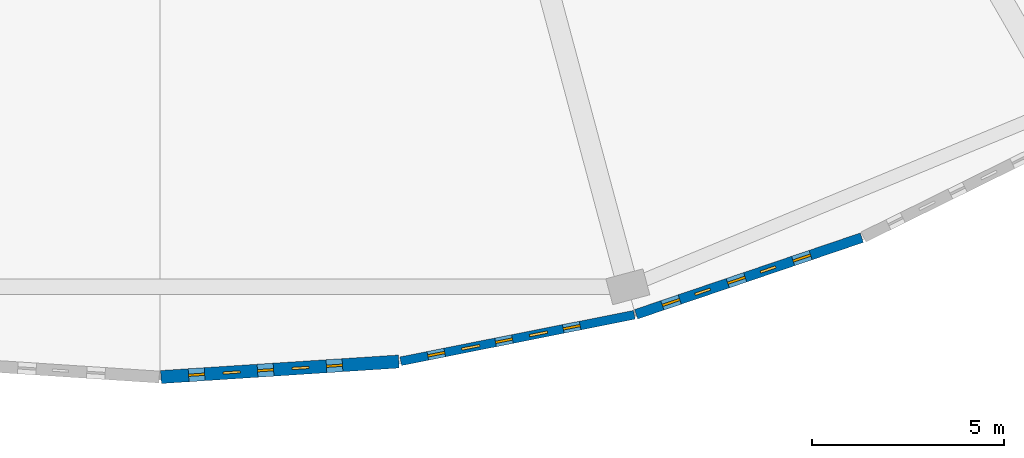
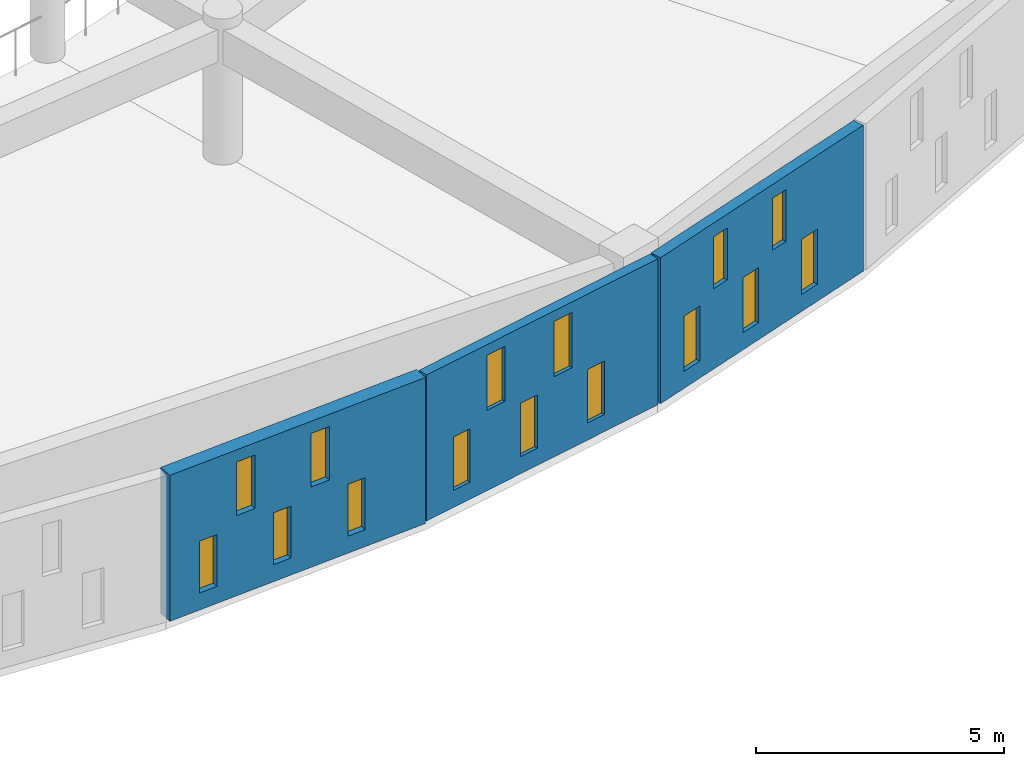
# One storey, part 106 of 155: 15 windows, 3 walls, 15 openings.
"""IFC4 building model written with IfcOpenShell, lengths in metres."""

from ifc_helpers import new_model, si_unit, direction, frame, frame_2d, origin, place, context, subcontext, project, spatial, rectangle, extrude, material, layer, layer_set, type_object, element, fill, save


model = new_model("IFC4")

# Units and contexts
model_context = context("Model", 3, precision=1e-05, world=origin(), true_north=direction((0.0, 1.0)))
body_context = subcontext(model_context, "Body", "Model", "MODEL_VIEW")
ifc_project = project(units=[si_unit("LENGTHUNIT", "METRE"), si_unit("AREAUNIT", "SQUARE_METRE"), si_unit("VOLUMEUNIT", "CUBIC_METRE"), si_unit("PLANEANGLEUNIT", "RADIAN"), si_unit("MASSUNIT", "GRAM", prefix="KILO")], contexts=[model_context])

# Site, building, storey
site_placement = place(None, origin())
site = spatial("IfcSite", under=ifc_project, at=site_placement, CompositionType="ELEMENT")
building_placement = place(site_placement, origin())
building = spatial("IfcBuilding", under=site, at=building_placement, Name="Larkveld Mobility Hub", CompositionType="ELEMENT")
storey_placement = place(building_placement, frame((0.0, 0.0, 8.39990234375)))
storey = spatial("IfcBuildingStorey", under=building, at=storey_placement, Name="L02", CompositionType="ELEMENT", Elevation=8.39990234375)

# Wall, openings, windows
ifc_material_1 = material(Name="Fired clay brick 25 MPa", Category="masonry")
ifc_layer_1 = layer(ifc_material_1, 0.22998046875, Name="Fired clay brick 25 MPa", Category="masonry")
ifc_layer_set_1 = layer_set([ifc_layer_1], Name="Fired clay brick 25 MPa")
wall_type_1 = type_object("IfcWallType", Name="WL-BRK-230", PredefinedType="USERDEFINED", material=ifc_layer_set_1)
wall_1_placement = place(storey_placement, frame((54.27001953125, 0.56396484375, 0.0), z_axis=(0.0, 0.0, 1.0), x_axis=(0.980799338869, 0.195019632022, 0.0)))
wall_1 = element("IfcWall", 1, at=wall_1_placement, inside=storey, type_object=wall_type_1, Name="Drum Woven Open-Bond Brick Chord L02-0128", ObjectType="PERFORATED BRICK SCREEN", PredefinedType="USERDEFINED", context=body_context, shape_type="SweptSolid", body=[
    extrude(rectangle(XDim=6.209228515625, YDim=0.22998046875, at=frame_2d((3.1044921875, 0.0))), origin(), (0.0, 0.0, 1.0), 3.60009765625),
])
opening_1_placement = place(wall_1_placement, frame((0.719970703125, 0.0, 0.419921875)))
opening_1 = element("IfcOpeningElement", 2, at=opening_1_placement, cuts=wall_1, Name="Opening W02", PredefinedType="OPENING", context=body_context, shape_type="SweptSolid", body=[
    extrude(rectangle(XDim=0.449951171875, YDim=1.320068359375, at=frame_2d((0.22509765625, 0.66015625))), frame((0.0, 0.125, 0.0), z_axis=(0.0, -1.0, 0.0), x_axis=(1.0, 0.0, 0.0)), (0.0, 0.0, 1.0), 0.25),
])
opening_2_placement = place(wall_1_placement, frame((2.52001953125, 0.0, 0.419921875)))
opening_2 = element("IfcOpeningElement", 3, at=opening_2_placement, cuts=wall_1, Name="Opening W02", PredefinedType="OPENING", context=body_context, shape_type="SweptSolid", body=[
    extrude(rectangle(XDim=0.449951171875, YDim=1.320068359375, at=frame_2d((0.22509765625, 0.66015625))), frame((0.0, 0.125, 0.0), z_axis=(0.0, -1.0, 0.0), x_axis=(1.0, 0.0, 0.0)), (0.0, 0.0, 1.0), 0.25),
])
opening_3_placement = place(wall_1_placement, frame((4.320068359375, 0.0, 0.419921875)))
opening_3 = element("IfcOpeningElement", 4, at=opening_3_placement, cuts=wall_1, Name="Opening W02", PredefinedType="OPENING", context=body_context, shape_type="SweptSolid", body=[
    extrude(rectangle(XDim=0.449951171875, YDim=1.320068359375, at=frame_2d((0.22509765625, 0.66015625))), frame((0.0, 0.125, 0.0), z_axis=(0.0, -1.0, 0.0), x_axis=(1.0, 0.0, 0.0)), (0.0, 0.0, 1.0), 0.25),
])
opening_4_placement = place(wall_1_placement, frame((1.6201171875, 0.0, 1.97998046875)))
opening_4 = element("IfcOpeningElement", 5, at=opening_4_placement, cuts=wall_1, Name="Opening W03", PredefinedType="OPENING", context=body_context, shape_type="SweptSolid", body=[
    extrude(rectangle(XDim=0.47998046875, YDim=1.360107421875, at=frame_2d((0.239990234375, 0.68017578125))), frame((0.0, 0.125, 0.0), z_axis=(0.0, -1.0, 0.0), x_axis=(1.0, 0.0, 0.0)), (0.0, 0.0, 1.0), 0.25),
])
opening_5_placement = place(wall_1_placement, frame((3.419921875, 0.0, 1.97998046875)))
opening_5 = element("IfcOpeningElement", 6, at=opening_5_placement, cuts=wall_1, Name="Opening W03", PredefinedType="OPENING", context=body_context, shape_type="SweptSolid", body=[
    extrude(rectangle(XDim=0.47998046875, YDim=1.360107421875, at=frame_2d((0.239990234375, 0.68017578125))), frame((0.0, 0.125, 0.0), z_axis=(0.0, -1.0, 0.0), x_axis=(1.0, 0.0, 0.0)), (0.0, 0.0, 1.0), 0.25),
])
ifc_material_2 = material(Name="Extruded aluminium ventilation grille", Category="aluminium")
window_type_1 = type_object("IfcWindowType", Name="WN-VENT-02", PartitioningType="SINGLE_PANEL", PredefinedType="WINDOW", material=ifc_material_2)
window_1_placement = place(opening_1_placement, origin())
window_1 = element("IfcWindow", 7, at=window_1_placement, inside=storey, type_object=window_type_1, Name="Window W02 (0626)", OverallHeight=1.320068359375, OverallWidth=0.449951171875, PartitioningType="SINGLE_PANEL", PredefinedType="WINDOW", context=body_context, shape_type="SweptSolid", body=[
    extrude(rectangle(XDim=0.449951171875, YDim=1.320068359375, at=frame_2d((0.22509765625, 0.66015625))), frame((0.0, 0.030029296875, 0.0), z_axis=(0.0, -1.0, 0.0), x_axis=(1.0, 0.0, 0.0)), (0.0, 0.0, 1.0), 0.06005859375),
])
fill(opening_1, window_1)
window_2_placement = place(opening_2_placement, origin())
window_2 = element("IfcWindow", 8, at=window_2_placement, inside=storey, type_object=window_type_1, Name="Window W02 (0627)", OverallHeight=1.320068359375, OverallWidth=0.449951171875, PartitioningType="SINGLE_PANEL", PredefinedType="WINDOW", context=body_context, shape_type="SweptSolid", body=[
    extrude(rectangle(XDim=0.449951171875, YDim=1.320068359375, at=frame_2d((0.22509765625, 0.66015625))), frame((0.0, 0.030029296875, 0.0), z_axis=(0.0, -1.0, 0.0), x_axis=(1.0, 0.0, 0.0)), (0.0, 0.0, 1.0), 0.06005859375),
])
fill(opening_2, window_2)
window_3_placement = place(opening_3_placement, origin())
window_3 = element("IfcWindow", 9, at=window_3_placement, inside=storey, type_object=window_type_1, Name="Window W02 (0628)", OverallHeight=1.320068359375, OverallWidth=0.449951171875, PartitioningType="SINGLE_PANEL", PredefinedType="WINDOW", context=body_context, shape_type="SweptSolid", body=[
    extrude(rectangle(XDim=0.449951171875, YDim=1.320068359375, at=frame_2d((0.22509765625, 0.66015625))), frame((0.0, 0.030029296875, 0.0), z_axis=(0.0, -1.0, 0.0), x_axis=(1.0, 0.0, 0.0)), (0.0, 0.0, 1.0), 0.06005859375),
])
fill(opening_3, window_3)
window_type_2 = type_object("IfcWindowType", Name="WN-VENT-03", PartitioningType="SINGLE_PANEL", PredefinedType="WINDOW", material=ifc_material_2)
window_4_placement = place(opening_4_placement, origin())
window_4 = element("IfcWindow", 10, at=window_4_placement, inside=storey, type_object=window_type_2, Name="Window W03 (0629)", OverallHeight=1.360107421875, OverallWidth=0.47998046875, PartitioningType="SINGLE_PANEL", PredefinedType="WINDOW", context=body_context, shape_type="SweptSolid", body=[
    extrude(rectangle(XDim=0.47998046875, YDim=1.360107421875, at=frame_2d((0.239990234375, 0.68017578125))), frame((0.0, 0.030029296875, 0.0), z_axis=(0.0, -1.0, 0.0), x_axis=(1.0, 0.0, 0.0)), (0.0, 0.0, 1.0), 0.06005859375),
])
fill(opening_4, window_4)
window_5_placement = place(opening_5_placement, origin())
window_5 = element("IfcWindow", 11, at=window_5_placement, inside=storey, type_object=window_type_2, Name="Window W03 (0630)", OverallHeight=1.360107421875, OverallWidth=0.47998046875, PartitioningType="SINGLE_PANEL", PredefinedType="WINDOW", context=body_context, shape_type="SweptSolid", body=[
    extrude(rectangle(XDim=0.47998046875, YDim=1.360107421875, at=frame_2d((0.239990234375, 0.68017578125))), frame((0.0, 0.030029296875, 0.0), z_axis=(0.0, -1.0, 0.0), x_axis=(1.0, 0.0, 0.0)), (0.0, 0.0, 1.0), 0.06005859375),
])
fill(opening_5, window_5)

ifc_layer_2 = layer(ifc_material_1, 0.260009765625, Name="Fired clay brick 25 MPa", Category="masonry")
ifc_layer_set_2 = layer_set([ifc_layer_2], Name="Fired clay brick 25 MPa")
wall_type_2 = type_object("IfcWallType", Name="WL-BRK-260", PredefinedType="USERDEFINED", material=ifc_layer_set_2)
wall_2_placement = place(storey_placement, frame((60.406982421875, 1.7880859375, 0.0), z_axis=(0.0, 0.0, 1.0), x_axis=(0.946955417172, 0.321364960579, 0.0)))
wall_2 = element("IfcWall", 12, at=wall_2_placement, inside=storey, type_object=wall_type_2, Name="Drum Woven Open-Bond Brick Chord L02-0129", ObjectType="PERFORATED BRICK SCREEN", PredefinedType="USERDEFINED", context=body_context, shape_type="SweptSolid", body=[
    extrude(rectangle(XDim=6.21044921875, YDim=0.260009765625, at=frame_2d((3.105224609375, 0.0))), origin(), (0.0, 0.0, 1.0), 3.60009765625),
])
opening_6_placement = place(wall_2_placement, frame((0.719970703125, 0.0, 0.419921875)))
opening_6 = element("IfcOpeningElement", 13, at=opening_6_placement, cuts=wall_2, Name="Opening W03", PredefinedType="OPENING", context=body_context, shape_type="SweptSolid", body=[
    extrude(rectangle(XDim=0.47998046875, YDim=1.360107421875, at=frame_2d((0.239990234375, 0.68017578125))), frame((0.0, 0.14013671875, 0.0), z_axis=(0.0, -1.0, 0.0), x_axis=(1.0, 0.0, 0.0)), (0.0, 0.0, 1.0), 0.280029296875),
])
opening_7_placement = place(wall_2_placement, frame((2.52001953125, 0.0, 0.419921875)))
opening_7 = element("IfcOpeningElement", 14, at=opening_7_placement, cuts=wall_2, Name="Opening W03", PredefinedType="OPENING", context=body_context, shape_type="SweptSolid", body=[
    extrude(rectangle(XDim=0.47998046875, YDim=1.360107421875, at=frame_2d((0.239990234375, 0.68017578125))), frame((0.0, 0.14013671875, 0.0), z_axis=(0.0, -1.0, 0.0), x_axis=(1.0, 0.0, 0.0)), (0.0, 0.0, 1.0), 0.280029296875),
])
opening_8_placement = place(wall_2_placement, frame((4.320068359375, 0.0, 0.419921875)))
opening_8 = element("IfcOpeningElement", 15, at=opening_8_placement, cuts=wall_2, Name="Opening W03", PredefinedType="OPENING", context=body_context, shape_type="SweptSolid", body=[
    extrude(rectangle(XDim=0.47998046875, YDim=1.360107421875, at=frame_2d((0.239990234375, 0.68017578125))), frame((0.0, 0.14013671875, 0.0), z_axis=(0.0, -1.0, 0.0), x_axis=(1.0, 0.0, 0.0)), (0.0, 0.0, 1.0), 0.280029296875),
])
opening_9_placement = place(wall_2_placement, frame((1.6201171875, 0.0, 1.97998046875)))
opening_9 = element("IfcOpeningElement", 16, at=opening_9_placement, cuts=wall_2, Name="Opening W01", PredefinedType="OPENING", context=body_context, shape_type="SweptSolid", body=[
    extrude(rectangle(XDim=0.419921875, YDim=1.280029296875, at=frame_2d((0.2099609375, 0.64013671875))), frame((0.0, 0.14013671875, 0.0), z_axis=(0.0, -1.0, 0.0), x_axis=(1.0, 0.0, 0.0)), (0.0, 0.0, 1.0), 0.280029296875),
])
opening_10_placement = place(wall_2_placement, frame((3.419921875, 0.0, 1.97998046875)))
opening_10 = element("IfcOpeningElement", 17, at=opening_10_placement, cuts=wall_2, Name="Opening W01", PredefinedType="OPENING", context=body_context, shape_type="SweptSolid", body=[
    extrude(rectangle(XDim=0.419921875, YDim=1.280029296875, at=frame_2d((0.2099609375, 0.64013671875))), frame((0.0, 0.14013671875, 0.0), z_axis=(0.0, -1.0, 0.0), x_axis=(1.0, 0.0, 0.0)), (0.0, 0.0, 1.0), 0.280029296875),
])
window_type_3 = type_object("IfcWindowType", Name="WN-VENT-01", PartitioningType="SINGLE_PANEL", PredefinedType="WINDOW", material=ifc_material_2)
window_6_placement = place(opening_9_placement, origin())
window_6 = element("IfcWindow", 18, at=window_6_placement, inside=storey, type_object=window_type_3, Name="Window W01 (0634)", OverallHeight=1.280029296875, OverallWidth=0.419921875, PartitioningType="SINGLE_PANEL", PredefinedType="WINDOW", context=body_context, shape_type="SweptSolid", body=[
    extrude(rectangle(XDim=0.419921875, YDim=1.280029296875, at=frame_2d((0.2099609375, 0.64013671875))), frame((0.0, 0.030029296875, 0.0), z_axis=(0.0, -1.0, 0.0), x_axis=(1.0, 0.0, 0.0)), (0.0, 0.0, 1.0), 0.06005859375),
])
fill(opening_9, window_6)
window_7_placement = place(opening_10_placement, origin())
window_7 = element("IfcWindow", 19, at=window_7_placement, inside=storey, type_object=window_type_3, Name="Window W01 (0635)", OverallHeight=1.280029296875, OverallWidth=0.419921875, PartitioningType="SINGLE_PANEL", PredefinedType="WINDOW", context=body_context, shape_type="SweptSolid", body=[
    extrude(rectangle(XDim=0.419921875, YDim=1.280029296875, at=frame_2d((0.2099609375, 0.64013671875))), frame((0.0, 0.030029296875, 0.0), z_axis=(0.0, -1.0, 0.0), x_axis=(1.0, 0.0, 0.0)), (0.0, 0.0, 1.0), 0.06005859375),
])
fill(opening_10, window_7)
window_8_placement = place(opening_6_placement, origin())
window_8 = element("IfcWindow", 20, at=window_8_placement, inside=storey, type_object=window_type_2, Name="Window W03 (0631)", OverallHeight=1.360107421875, OverallWidth=0.47998046875, PartitioningType="SINGLE_PANEL", PredefinedType="WINDOW", context=body_context, shape_type="SweptSolid", body=[
    extrude(rectangle(XDim=0.47998046875, YDim=1.360107421875, at=frame_2d((0.239990234375, 0.68017578125))), frame((0.0, 0.030029296875, 0.0), z_axis=(0.0, -1.0, 0.0), x_axis=(1.0, 0.0, 0.0)), (0.0, 0.0, 1.0), 0.06005859375),
])
fill(opening_6, window_8)
window_9_placement = place(opening_7_placement, origin())
window_9 = element("IfcWindow", 21, at=window_9_placement, inside=storey, type_object=window_type_2, Name="Window W03 (0632)", OverallHeight=1.360107421875, OverallWidth=0.47998046875, PartitioningType="SINGLE_PANEL", PredefinedType="WINDOW", context=body_context, shape_type="SweptSolid", body=[
    extrude(rectangle(XDim=0.47998046875, YDim=1.360107421875, at=frame_2d((0.239990234375, 0.68017578125))), frame((0.0, 0.030029296875, 0.0), z_axis=(0.0, -1.0, 0.0), x_axis=(1.0, 0.0, 0.0)), (0.0, 0.0, 1.0), 0.06005859375),
])
fill(opening_7, window_9)
window_10_placement = place(opening_8_placement, origin())
window_10 = element("IfcWindow", 22, at=window_10_placement, inside=storey, type_object=window_type_2, Name="Window W03 (0633)", OverallHeight=1.360107421875, OverallWidth=0.47998046875, PartitioningType="SINGLE_PANEL", PredefinedType="WINDOW", context=body_context, shape_type="SweptSolid", body=[
    extrude(rectangle(XDim=0.47998046875, YDim=1.360107421875, at=frame_2d((0.239990234375, 0.68017578125))), frame((0.0, 0.030029296875, 0.0), z_axis=(0.0, -1.0, 0.0), x_axis=(1.0, 0.0, 0.0)), (0.0, 0.0, 1.0), 0.06005859375),
])
fill(opening_8, window_10)

ifc_layer_3 = layer(ifc_material_1, 0.340087890625, Name="Fired clay brick 25 MPa", Category="masonry")
ifc_layer_set_3 = layer_set([ifc_layer_3], Name="Fired clay brick 25 MPa")
wall_type_3 = type_object("IfcWallType", Name="WL-BRK-340", PredefinedType="USERDEFINED", material=ifc_layer_set_3)
wall_3_placement = place(storey_placement, frame((48.02392578125, 0.152099609375, 0.0), z_axis=(0.0, 0.0, 1.0), x_axis=(0.997874164219, 0.065170180182, 0.0)))
wall_3 = element("IfcWall", 23, at=wall_3_placement, inside=storey, type_object=wall_type_3, Name="Drum Woven Open-Bond Brick Chord L02-0127", ObjectType="PERFORATED BRICK SCREEN", PredefinedType="USERDEFINED", context=body_context, shape_type="SweptSolid", body=[
    extrude(rectangle(XDim=6.211181640625, YDim=0.340087890625, at=frame_2d((3.10546875, 0.0))), origin(), (0.0, 0.0, 1.0), 3.60009765625),
])
opening_11_placement = place(wall_3_placement, frame((0.719970703125, 0.0, 0.419921875)))
opening_11 = element("IfcOpeningElement", 24, at=opening_11_placement, cuts=wall_3, Name="Opening W01", PredefinedType="OPENING", context=body_context, shape_type="SweptSolid", body=[
    extrude(rectangle(XDim=0.419921875, YDim=1.280029296875, at=frame_2d((0.2099609375, 0.64013671875))), frame((0.0, 0.18017578125, 0.0), z_axis=(0.0, -1.0, 0.0), x_axis=(1.0, 0.0, 0.0)), (0.0, 0.0, 1.0), 0.360107421875),
])
opening_12_placement = place(wall_3_placement, frame((2.52001953125, 0.0, 0.419921875)))
opening_12 = element("IfcOpeningElement", 25, at=opening_12_placement, cuts=wall_3, Name="Opening W01", PredefinedType="OPENING", context=body_context, shape_type="SweptSolid", body=[
    extrude(rectangle(XDim=0.419921875, YDim=1.280029296875, at=frame_2d((0.2099609375, 0.64013671875))), frame((0.0, 0.18017578125, 0.0), z_axis=(0.0, -1.0, 0.0), x_axis=(1.0, 0.0, 0.0)), (0.0, 0.0, 1.0), 0.360107421875),
])
opening_13_placement = place(wall_3_placement, frame((4.320068359375, 0.0, 0.419921875)))
opening_13 = element("IfcOpeningElement", 26, at=opening_13_placement, cuts=wall_3, Name="Opening W01", PredefinedType="OPENING", context=body_context, shape_type="SweptSolid", body=[
    extrude(rectangle(XDim=0.419921875, YDim=1.280029296875, at=frame_2d((0.2099609375, 0.64013671875))), frame((0.0, 0.18017578125, 0.0), z_axis=(0.0, -1.0, 0.0), x_axis=(1.0, 0.0, 0.0)), (0.0, 0.0, 1.0), 0.360107421875),
])
opening_14_placement = place(wall_3_placement, frame((1.6201171875, 0.0, 1.97998046875)))
opening_14 = element("IfcOpeningElement", 27, at=opening_14_placement, cuts=wall_3, Name="Opening W02", PredefinedType="OPENING", context=body_context, shape_type="SweptSolid", body=[
    extrude(rectangle(XDim=0.449951171875, YDim=1.320068359375, at=frame_2d((0.22509765625, 0.66015625))), frame((0.0, 0.18017578125, 0.0), z_axis=(0.0, -1.0, 0.0), x_axis=(1.0, 0.0, 0.0)), (0.0, 0.0, 1.0), 0.360107421875),
])
opening_15_placement = place(wall_3_placement, frame((3.419921875, 0.0, 1.97998046875)))
opening_15 = element("IfcOpeningElement", 28, at=opening_15_placement, cuts=wall_3, Name="Opening W02", PredefinedType="OPENING", context=body_context, shape_type="SweptSolid", body=[
    extrude(rectangle(XDim=0.449951171875, YDim=1.320068359375, at=frame_2d((0.22509765625, 0.66015625))), frame((0.0, 0.18017578125, 0.0), z_axis=(0.0, -1.0, 0.0), x_axis=(1.0, 0.0, 0.0)), (0.0, 0.0, 1.0), 0.360107421875),
])
window_11_placement = place(opening_11_placement, origin())
window_11 = element("IfcWindow", 29, at=window_11_placement, inside=storey, type_object=window_type_3, Name="Window W01 (0621)", OverallHeight=1.280029296875, OverallWidth=0.419921875, PartitioningType="SINGLE_PANEL", PredefinedType="WINDOW", context=body_context, shape_type="SweptSolid", body=[
    extrude(rectangle(XDim=0.419921875, YDim=1.280029296875, at=frame_2d((0.2099609375, 0.64013671875))), frame((0.0, 0.030029296875, 0.0), z_axis=(0.0, -1.0, 0.0), x_axis=(1.0, 0.0, 0.0)), (0.0, 0.0, 1.0), 0.06005859375),
])
fill(opening_11, window_11)
window_12_placement = place(opening_12_placement, origin())
window_12 = element("IfcWindow", 30, at=window_12_placement, inside=storey, type_object=window_type_3, Name="Window W01 (0622)", OverallHeight=1.280029296875, OverallWidth=0.419921875, PartitioningType="SINGLE_PANEL", PredefinedType="WINDOW", context=body_context, shape_type="SweptSolid", body=[
    extrude(rectangle(XDim=0.419921875, YDim=1.280029296875, at=frame_2d((0.2099609375, 0.64013671875))), frame((0.0, 0.030029296875, 0.0), z_axis=(0.0, -1.0, 0.0), x_axis=(1.0, 0.0, 0.0)), (0.0, 0.0, 1.0), 0.06005859375),
])
fill(opening_12, window_12)
window_13_placement = place(opening_13_placement, origin())
window_13 = element("IfcWindow", 31, at=window_13_placement, inside=storey, type_object=window_type_3, Name="Window W01 (0623)", OverallHeight=1.280029296875, OverallWidth=0.419921875, PartitioningType="SINGLE_PANEL", PredefinedType="WINDOW", context=body_context, shape_type="SweptSolid", body=[
    extrude(rectangle(XDim=0.419921875, YDim=1.280029296875, at=frame_2d((0.2099609375, 0.64013671875))), frame((0.0, 0.030029296875, 0.0), z_axis=(0.0, -1.0, 0.0), x_axis=(1.0, 0.0, 0.0)), (0.0, 0.0, 1.0), 0.06005859375),
])
fill(opening_13, window_13)
window_14_placement = place(opening_14_placement, origin())
window_14 = element("IfcWindow", 32, at=window_14_placement, inside=storey, type_object=window_type_1, Name="Window W02 (0624)", OverallHeight=1.320068359375, OverallWidth=0.449951171875, PartitioningType="SINGLE_PANEL", PredefinedType="WINDOW", context=body_context, shape_type="SweptSolid", body=[
    extrude(rectangle(XDim=0.449951171875, YDim=1.320068359375, at=frame_2d((0.22509765625, 0.66015625))), frame((0.0, 0.030029296875, 0.0), z_axis=(0.0, -1.0, 0.0), x_axis=(1.0, 0.0, 0.0)), (0.0, 0.0, 1.0), 0.06005859375),
])
fill(opening_14, window_14)
window_15_placement = place(opening_15_placement, origin())
window_15 = element("IfcWindow", 33, at=window_15_placement, inside=storey, type_object=window_type_1, Name="Window W02 (0625)", OverallHeight=1.320068359375, OverallWidth=0.449951171875, PartitioningType="SINGLE_PANEL", PredefinedType="WINDOW", context=body_context, shape_type="SweptSolid", body=[
    extrude(rectangle(XDim=0.449951171875, YDim=1.320068359375, at=frame_2d((0.22509765625, 0.66015625))), frame((0.0, 0.030029296875, 0.0), z_axis=(0.0, -1.0, 0.0), x_axis=(1.0, 0.0, 0.0)), (0.0, 0.0, 1.0), 0.06005859375),
])
fill(opening_15, window_15)

save(model, "model.ifc")
